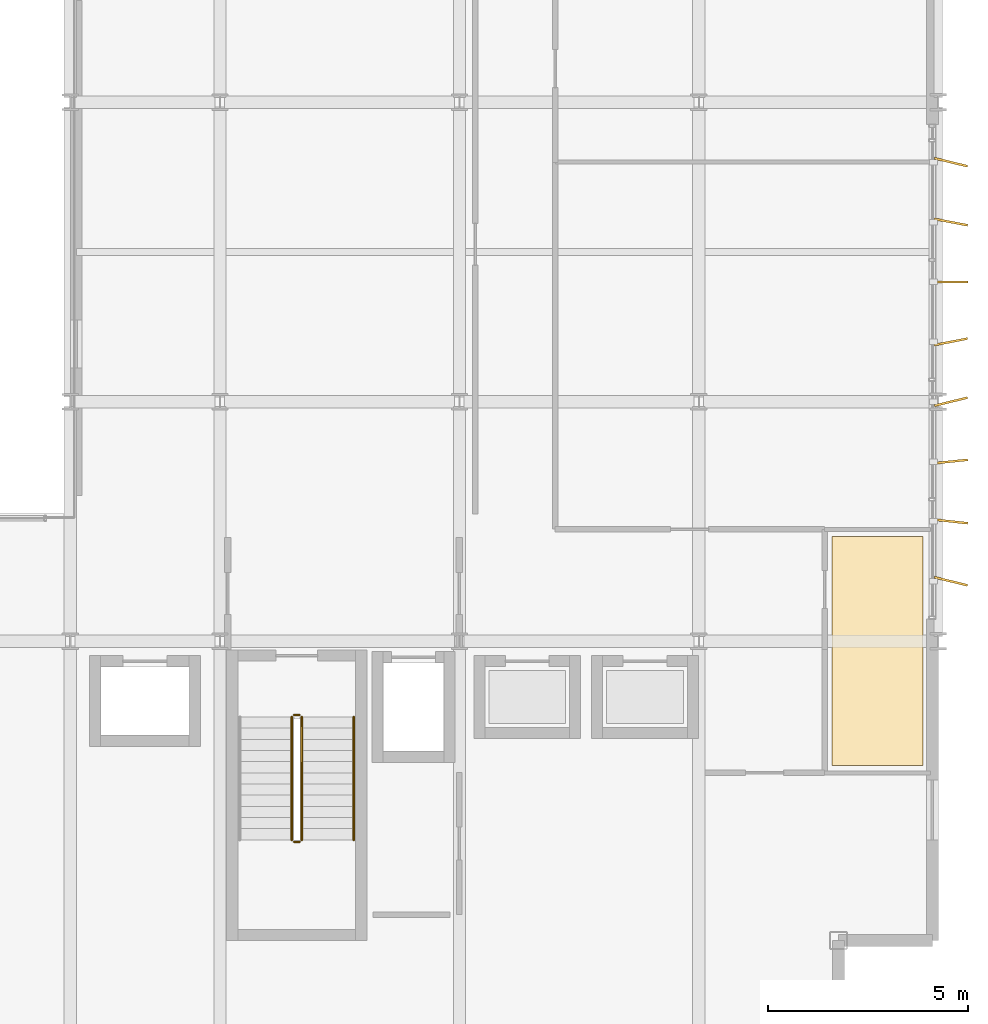
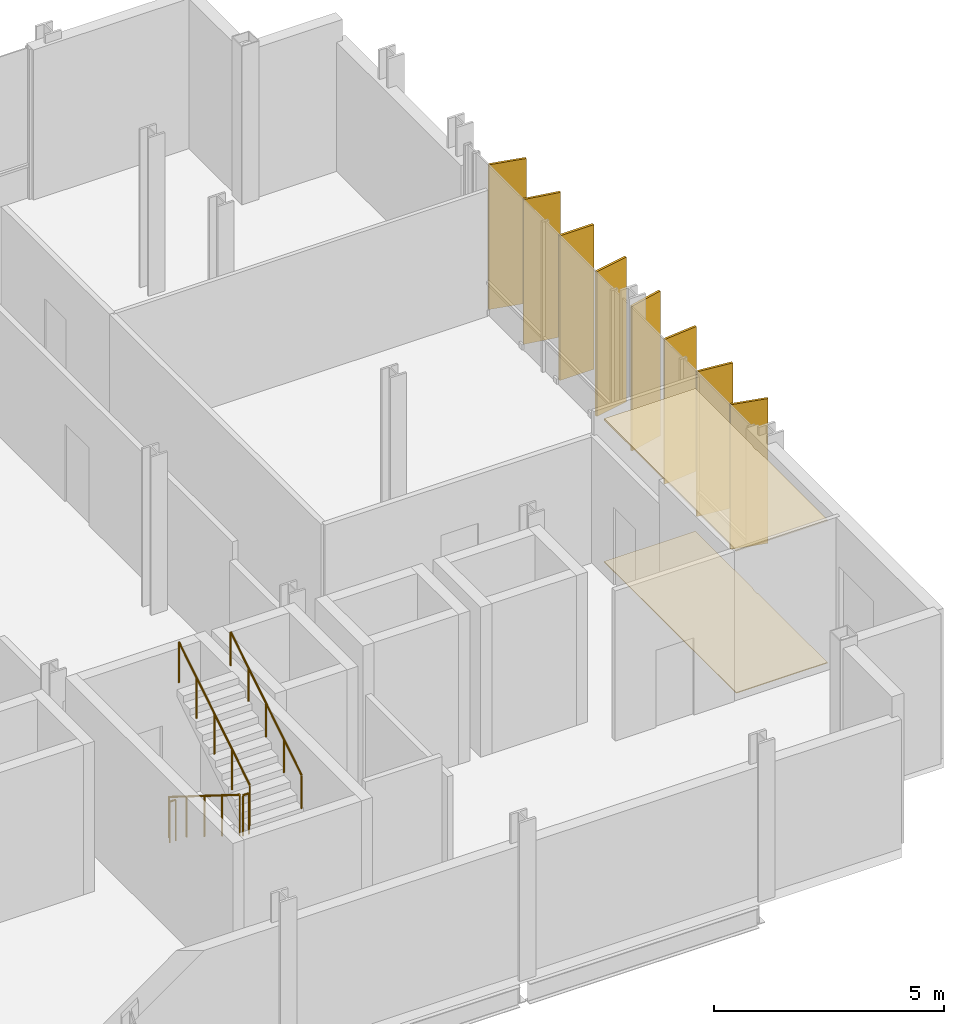
# One storey, part 31 of 32: 8 shading devices, 5 railings, 2 coverings.
"""IFC4 building model written with IfcOpenShell, lengths in metres."""

from ifc_helpers import new_model, si_unit, direction, frame, origin, origin_2d, place, context, subcontext, project, spatial, polyline, rectangle, circle, outline, extrude, material, layer, layer_set, type_object, element, save


model = new_model("IFC4")

# Units and contexts
model_context = context("Model", 3, precision=1e-05, world=origin(), true_north=direction((0.0, 1.0)))
body_context = subcontext(model_context, "Body", "Model", "MODEL_VIEW")
ifc_project = project(units=[si_unit("LENGTHUNIT", "METRE"), si_unit("AREAUNIT", "SQUARE_METRE"), si_unit("VOLUMEUNIT", "CUBIC_METRE"), si_unit("PLANEANGLEUNIT", "RADIAN"), si_unit("MASSUNIT", "GRAM", prefix="KILO")], contexts=[model_context])

# Site, building, storey
site_placement = place(None, origin())
site = spatial("IfcSite", under=ifc_project, at=site_placement, CompositionType="ELEMENT")
building_placement = place(site_placement, origin())
building = spatial("IfcBuilding", under=site, at=building_placement, Name="Brevholm Reach", CompositionType="ELEMENT")
storey_placement = place(building_placement, frame((0.0, 0.0, 134.5)))
storey = spatial("IfcBuildingStorey", under=building, at=storey_placement, Name="L40", CompositionType="ELEMENT", Elevation=134.5)

# Coverings
ifc_material_1 = material(Name="Perforated Mineral-Fibre Class-A Acoustic Suspended Ceiling", Category="gypsum")
ifc_layer_1 = layer(ifc_material_1, 0.044921875)
ifc_layer_set_1 = layer_set([ifc_layer_1], Name="Perforated Mineral-Fibre Class-A Acoustic Suspended Ceiling")
covering_type_1 = type_object("IfcCoveringType", Name="COV-CLG-AC", PredefinedType="CEILING", material=ifc_layer_set_1)
covering_1_placement = place(storey_placement, frame((0.0, 0.0, 3.764892578125)))
element("IfcCovering", 1, at=covering_1_placement, inside=storey, type_object=covering_type_1, Name="L40 Suspended Ceiling L40-14", PredefinedType="CEILING", context=body_context, shape_type="SweptSolid", body=[
    extrude(outline(polyline([(57.330078125, 12.6201171875), (59.6201171875, 12.6201171875), (59.6201171875, 10.123779296875), (59.6171875, 10.1162109375), (59.607666015625, 10.077880859375), (59.601806640625, 10.039306640625), (59.60009765625, 10.0), (59.601806640625, 9.960693359375), (59.607666015625, 9.922119140625), (59.6171875, 9.8837890625), (59.6201171875, 9.876220703125), (59.6201171875, 6.8798828125), (57.330078125, 6.8798828125), (57.330078125, 12.6201171875)])), origin(), (0.0, 0.0, 1.0), 0.045166015625),
])
ifc_material_2 = material(Name="Engineered European Oak Acoustic Plank Flooring", Category="timber")
ifc_layer_2 = layer(ifc_material_2, 0.02197265625)
ifc_layer_set_2 = layer_set([ifc_layer_2], Name="Engineered European Oak Acoustic Plank Flooring")
covering_type_2 = type_object("IfcCoveringType", Name="COV-FLR-OAK", PredefinedType="FLOORING", material=ifc_layer_set_2)
covering_2_placement = place(storey_placement, origin())
element("IfcCovering", 2, at=covering_2_placement, inside=storey, type_object=covering_type_2, Name="L40 Floor Finish L40-14", PredefinedType="FLOORING", context=body_context, shape_type="SweptSolid", body=[
    extrude(outline(polyline([(57.330078125, 12.6201171875), (59.6201171875, 12.6201171875), (59.6201171875, 10.123779296875), (59.6171875, 10.1162109375), (59.607666015625, 10.077880859375), (59.601806640625, 10.039306640625), (59.60009765625, 10.0), (59.601806640625, 9.960693359375), (59.607666015625, 9.922119140625), (59.6171875, 9.8837890625), (59.6201171875, 9.876220703125), (59.6201171875, 6.8798828125), (57.330078125, 6.8798828125), (57.330078125, 12.6201171875)])), origin(), (0.0, 0.0, 1.0), 0.02197265625),
])

# Railings
ifc_material_3 = material(Name="Brushed Stainless Steel EN 1.4401 Continuous Handrail", Category="steel")
railing_type_1 = type_object("IfcRailingType", Name="RAL-HND-950", PredefinedType="HANDRAIL", material=ifc_material_3)
railing_1_placement = place(storey_placement, frame((45.35009765625, 5.02001953125, 2.27490234375)))
element("IfcRailing", 3, at=railing_1_placement, inside=storey, type_object=railing_type_1, Name="L40 ST-2 stair handrail 2", PredefinedType="HANDRAIL", context=body_context, shape_type="SweptSolid", body=[
    extrude(circle(Radius=0.02392578125, at=origin_2d()), frame((0.0, 0.0, 0.8857421875), z_axis=(0.0, 0.847998304005, 0.529998940003), x_axis=(-1.0, 0.0, 0.0)), (0.0, 0.0, 1.0), 3.632080078125),
    extrude(circle(Radius=0.02099609375, at=origin_2d()), origin(), (0.0, 0.0, 1.0), 0.86181640625),
    extrude(circle(Radius=0.02099609375, at=origin_2d()), frame((0.0, 0.77001953125, 0.481201171875)), (0.0, 0.0, 1.0), 0.86181640625),
    extrude(circle(Radius=0.02099609375, at=origin_2d()), frame((0.0, 1.5400390625, 0.96240234375)), (0.0, 0.0, 1.0), 0.86181640625),
    extrude(circle(Radius=0.02099609375, at=origin_2d()), frame((0.0, 2.31005859375, 1.44384765625)), (0.0, 0.0, 1.0), 0.86181640625),
    extrude(circle(Radius=0.02099609375, at=origin_2d()), frame((0.0, 3.080078125, 1.925048828125)), (0.0, 0.0, 1.0), 0.86181640625),
])
ifc_material_4 = material(Name="Painted Tubular Galvanised Steel S275JR Stair Guard", Category="steel")
railing_type_2 = type_object("IfcRailingType", Name="RAL-STG-1120", PredefinedType="BALUSTRADE", material=ifc_material_4)
railing_2_placement = place(storey_placement, frame((43.800048828125, 8.10009765625, 0.175048828125)))
element("IfcRailing", 4, at=railing_2_placement, inside=storey, type_object=railing_type_2, Name="L40 ST-2 stair guard 1", PredefinedType="BALUSTRADE", context=body_context, shape_type="SweptSolid", body=[
    extrude(circle(Radius=0.02392578125, at=origin_2d()), frame((0.0, 0.0, 1.076171875), z_axis=(0.0, -0.847998304005, 0.529998940003), x_axis=(1.0, 0.0, 0.0)), (0.0, 0.0, 1.0), 3.632080078125),
    extrude(circle(Radius=0.02099609375, at=origin_2d()), origin(), (0.0, 0.0, 1.0), 1.052001953125),
    extrude(circle(Radius=0.02099609375, at=origin_2d()), frame((0.0, -0.77001953125, 0.481201171875)), (0.0, 0.0, 1.0), 1.052001953125),
    extrude(circle(Radius=0.02099609375, at=origin_2d()), frame((0.0, -1.5400390625, 0.96240234375)), (0.0, 0.0, 1.0), 1.052001953125),
    extrude(circle(Radius=0.02099609375, at=origin_2d()), frame((0.0, -2.31005859375, 1.44384765625)), (0.0, 0.0, 1.0), 1.052001953125),
    extrude(circle(Radius=0.02099609375, at=origin_2d()), frame((0.0, -3.080078125, 1.925048828125)), (0.0, 0.0, 1.0), 1.052001953125),
])
railing_3_placement = place(storey_placement, frame((43.85009765625, 4.969970703125, 2.10009765625)))
element("IfcRailing", 5, at=railing_3_placement, inside=storey, type_object=railing_type_2, Name="L40 ST-2 stair guard 2", PredefinedType="BALUSTRADE", context=body_context, shape_type="SweptSolid", body=[
    extrude(circle(Radius=0.02392578125, at=origin_2d()), frame((0.0, 0.0, 1.076171875), z_axis=(1.0, 0.0, 0.0), x_axis=(0.0, 1.0, 0.0)), (0.0, 0.0, 1.0), 0.14990234375),
    extrude(circle(Radius=0.02099609375, at=origin_2d()), origin(), (0.0, 0.0, 1.0), 1.052001953125),
    extrude(circle(Radius=0.02099609375, at=origin_2d()), frame((0.14990234375, 0.0, 0.0)), (0.0, 0.0, 1.0), 1.052001953125),
])
railing_4_placement = place(storey_placement, frame((44.050048828125, 5.02001953125, 2.27490234375)))
element("IfcRailing", 6, at=railing_4_placement, inside=storey, type_object=railing_type_2, Name="L40 ST-2 stair guard 3", PredefinedType="BALUSTRADE", context=body_context, shape_type="SweptSolid", body=[
    extrude(circle(Radius=0.02392578125, at=origin_2d()), frame((0.0, 0.0, 1.076171875), z_axis=(0.0, 0.847998304005, 0.529998940003), x_axis=(-1.0, 0.0, 0.0)), (0.0, 0.0, 1.0), 3.632080078125),
    extrude(circle(Radius=0.02099609375, at=origin_2d()), origin(), (0.0, 0.0, 1.0), 1.052001953125),
    extrude(circle(Radius=0.02099609375, at=origin_2d()), frame((0.0, 0.77001953125, 0.481201171875)), (0.0, 0.0, 1.0), 1.052001953125),
    extrude(circle(Radius=0.02099609375, at=origin_2d()), frame((0.0, 1.5400390625, 0.96240234375)), (0.0, 0.0, 1.0), 1.052001953125),
    extrude(circle(Radius=0.02099609375, at=origin_2d()), frame((0.0, 2.31005859375, 1.44384765625)), (0.0, 0.0, 1.0), 1.052001953125),
    extrude(circle(Radius=0.02099609375, at=origin_2d()), frame((0.0, 3.080078125, 1.925048828125)), (0.0, 0.0, 1.0), 1.052001953125),
])
railing_5_placement = place(storey_placement, frame((43.85009765625, 8.14990234375, 0.0)))
element("IfcRailing", 7, at=railing_5_placement, inside=storey, type_object=railing_type_2, Name="L40 ST-2 stair guard 4", PredefinedType="BALUSTRADE", context=body_context, shape_type="SweptSolid", body=[
    extrude(circle(Radius=0.02392578125, at=origin_2d()), frame((0.0, 0.0, 1.076171875), z_axis=(1.0, 0.0, 0.0), x_axis=(0.0, 1.0, 0.0)), (0.0, 0.0, 1.0), 0.14990234375),
    extrude(circle(Radius=0.02099609375, at=origin_2d()), origin(), (0.0, 0.0, 1.0), 1.052001953125),
    extrude(circle(Radius=0.02099609375, at=origin_2d()), frame((0.14990234375, 0.0, 0.0)), (0.0, 0.0, 1.0), 1.052001953125),
])

# Shading devices
ifc_material_5 = material(Name="Perforated Champagne-Bronze Anodised Aluminium", Category="aluminium")
ifc_layer_3 = layer(ifc_material_5, 0.054931640625)
ifc_layer_set_3 = layer_set([ifc_layer_3], Name="Perforated Champagne-Bronze Anodised Aluminium")
shading_device_type = type_object("IfcShadingDeviceType", Name="SHD-FIN-850", PredefinedType="USERDEFINED", material=ifc_layer_set_3)
for number, where, z_axis, x_axis, name in (
    (8, (60.31494140625, 11.5, 0.06982421875), (0.0, 0.0, 1.0), (0.971615219802, -0.236566829139, 0.0), "L40 Perforated Solar Screen Fin 1"),
    (9, (60.31494140625, 13.0, 0.06982421875), (0.0, 0.0, 1.0), (0.994113204519, -0.108346373271, 0.0), "L40 Perforated Solar Screen Fin 2"),
    (10, (60.31494140625, 14.5, 0.06982421875), (0.0, 0.0, 1.0), (0.994652464432, 0.103278627992, 0.0), "L40 Perforated Solar Screen Fin 3"),
    (11, (60.31494140625, 16.0, 0.06982421875), (0.0, 0.0, 1.0), (0.971911731212, 0.23534567498, 0.0), "L40 Perforated Solar Screen Fin 4"),
    (12, (60.31494140625, 17.5, 0.06982421875), (0.0, 0.0, 1.0), (0.98147367582, 0.19159703461, 0.0), "L40 Perforated Solar Screen Fin 5"),
    (13, (60.31494140625, 19.0, 0.06982421875), (0.0, 0.0, 1.0), (0.999996002813, 0.002827429621, 0.0), "L40 Perforated Solar Screen Fin 6"),
    (14, (60.31494140625, 20.5, 0.06982421875), (0.0, 0.0, 1.0), (0.982143062577, -0.188135601714, 0.0), "L40 Perforated Solar Screen Fin 7"),
    (15, (60.31494140625, 22.0, 0.06982421875), (0.0, 0.0, 1.0), (0.971615219802, -0.236566829139, 0.0), "L40 Perforated Solar Screen Fin 8"),
):
    element("IfcShadingDevice", number, at=place(storey_placement, frame(where, z_axis=z_axis, x_axis=x_axis)), inside=storey, type_object=shading_device_type, Name=name, ObjectType="SCREEN", PredefinedType="USERDEFINED", context=body_context, shape_type="SweptSolid", body=[
        extrude(rectangle(XDim=0.85009765625, YDim=0.054931640625, at=origin_2d()), origin(), (0.0, 0.0, 1.0), 3.840087890625),
    ])

save(model, "model.ifc")
